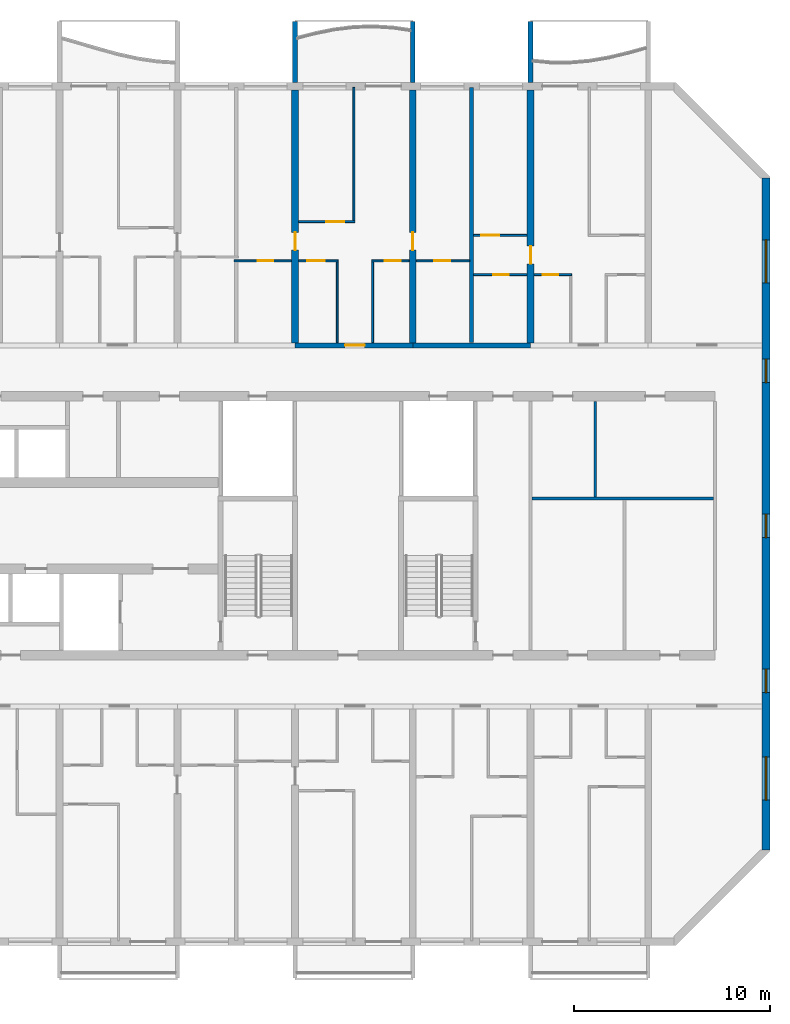
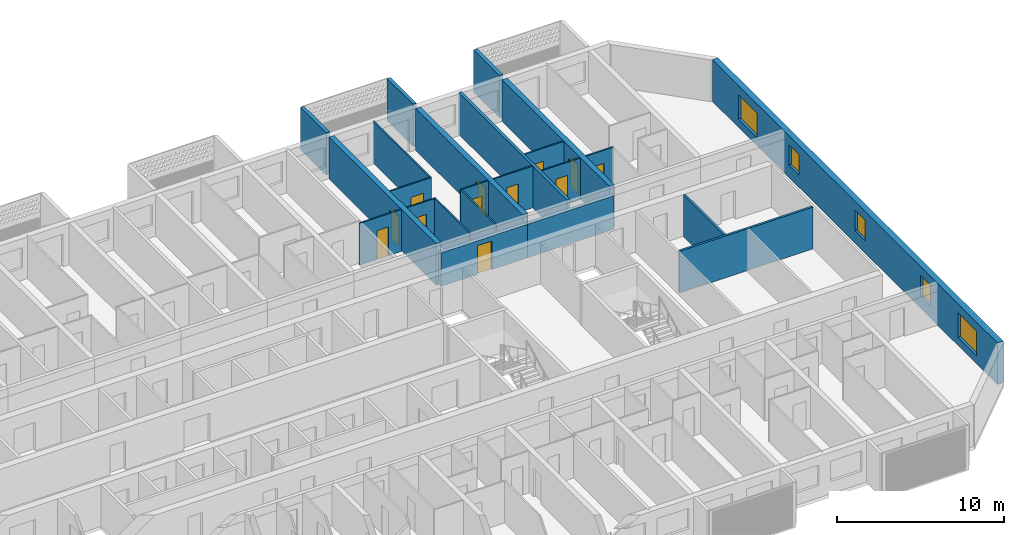
# One storey, part 15 of 25: 23 walls, 12 doors, 5 windows, 17 openings.
"""IFC4 building model written with IfcOpenShell, lengths in metres."""

from ifc_helpers import new_model, si_unit, direction, frame, frame_2d, origin, place, context, subcontext, project, spatial, polyline, rectangle, outline, extrude, source, transform, mapped, material, layer, layer_set, type_object, element, fill, save


model = new_model("IFC4")

# Units and contexts
model_context = context("Model", 3, precision=1e-05, world=origin(), true_north=direction((0.0, 1.0)))
body_context = subcontext(model_context, "Body", "Model", "MODEL_VIEW")
ifc_project = project(units=[si_unit("LENGTHUNIT", "METRE"), si_unit("AREAUNIT", "SQUARE_METRE"), si_unit("VOLUMEUNIT", "CUBIC_METRE"), si_unit("PLANEANGLEUNIT", "RADIAN"), si_unit("MASSUNIT", "GRAM", prefix="KILO")], contexts=[model_context])

# Site, building, storey
site_placement = place(None, origin())
site = spatial("IfcSite", under=ifc_project, at=site_placement, CompositionType="ELEMENT")
building_placement = place(site_placement, origin())
building = spatial("IfcBuilding", under=site, at=building_placement, Name="Poui Terraces", CompositionType="ELEMENT")
storey_placement = place(building_placement, frame((0.0, 0.0, 89.39990234375)))
storey = spatial("IfcBuildingStorey", under=building, at=storey_placement, Name="L24", CompositionType="ELEMENT", Elevation=89.39990234375)

# Wall, opening, door
ifc_material_1 = material(Name="Concrete 65 MPa", Category="concrete")
ifc_layer_1 = layer(ifc_material_1, 0.25)
ifc_layer_set_1 = layer_set([ifc_layer_1], Name="Concrete 65 MPa")
wall_type_1 = type_object("IfcWallType", Name="CORRIDOR WALL 250 65MPa", PredefinedType="SHEAR", material=ifc_layer_set_1)
wall_1_placement = place(storey_placement, frame((72.0, 30.39990234375, 0.0), z_axis=(0.0, 0.0, 1.0), x_axis=(1.0, 0.0, 0.0)))
wall_1 = element("IfcWall", 1, at=wall_1_placement, inside=storey, type_object=wall_type_1, Name="CORRIDOR WALL LINE E BAY 12", PredefinedType="SHEAR", context=body_context, shape_type="SweptSolid", body=[
    extrude(rectangle(XDim=6.0, YDim=0.25, at=frame_2d((3.0, 0.0))), origin(), (0.0, 0.0, 1.0), 2.460205078125),
])
opening_1_placement = place(wall_1_placement, frame((2.550048828125, 0.0, 0.0)))
opening_1 = element("IfcOpeningElement", 2, at=opening_1_placement, cuts=wall_1, Name="Opening FD30S", PredefinedType="OPENING", context=body_context, shape_type="SweptSolid", body=[
    extrude(rectangle(XDim=1.0, YDim=2.10009765625, at=frame_2d((0.5, 1.050048828125))), frame((0.0, 0.135009765625, 0.0), z_axis=(0.0, -1.0, 0.0), x_axis=(1.0, 0.0, 0.0)), (0.0, 0.0, 1.0), 0.27001953125),
])
ifc_material_2 = material(Name="Steel fire door", Category="steel")
door_type_1 = type_object("IfcDoorType", Name="FLAT ENTRANCE DOOR 1000 X 2100", OperationType="NOTDEFINED", PredefinedType="DOOR", material=ifc_material_2)
door_1_placement = place(opening_1_placement, origin())
door_1 = element("IfcDoor", 3, at=door_1_placement, inside=storey, type_object=door_type_1, Name="FLAT ENTRANCE DOOR 074", OperationType="SINGLE_SWING_RIGHT", OverallHeight=2.10009765625, OverallWidth=1.0, PredefinedType="DOOR", context=body_context, shape_type="SweptSolid", body=[
    extrude(rectangle(XDim=1.0, YDim=2.10009765625, at=frame_2d((0.5, 1.050048828125))), frame((0.0, 0.02490234375, 0.0), z_axis=(0.0, -1.0, 0.0), x_axis=(1.0, 0.0, 0.0)), (0.0, 0.0, 1.0), 0.050048828125),
])
fill(opening_1, door_1)

# Wall
wall_2_placement = place(storey_placement, frame((78.0, 30.39990234375, 0.0), z_axis=(0.0, 0.0, 1.0), x_axis=(1.0, 0.0, 0.0)))
element("IfcWall", 4, at=wall_2_placement, inside=storey, type_object=wall_type_1, Name="CORRIDOR WALL LINE E BAY 13", PredefinedType="SHEAR", context=body_context, shape_type="SweptSolid", body=[
    extrude(rectangle(XDim=6.0, YDim=0.25, at=frame_2d((3.0, 0.0))), origin(), (0.0, 0.0, 1.0), 2.460205078125),
])

# Wall, opening, door
ifc_layer_2 = layer(ifc_material_1, 0.35009765625)
ifc_layer_set_2 = layer_set([ifc_layer_2], Name="Concrete 65 MPa")
wall_type_2 = type_object("IfcWallType", Name="CROSS WALL 350 65MPa", PredefinedType="SHEAR", material=ifc_layer_set_2)
wall_3_placement = place(storey_placement, frame((72.0, 30.52490234375, 0.0), z_axis=(0.0, 0.0, 1.0), x_axis=(0.0, 1.0, 0.0)))
wall_3 = element("IfcWall", 5, at=wall_3_placement, inside=storey, type_object=wall_type_2, Name="CROSS WALL LINE 13 NORTH", PredefinedType="SHEAR", context=body_context, shape_type="SweptSolid", body=[
    extrude(rectangle(XDim=12.875, YDim=0.35009765625, at=frame_2d((6.4375, 0.0))), origin(), (0.0, 0.0, 1.0), 3.06005859375),
])
opening_2_placement = place(wall_3_placement, frame((4.72509765625, 0.0, 0.0)))
opening_2 = element("IfcOpeningElement", 6, at=opening_2_placement, cuts=wall_3, Name="Opening D90", PredefinedType="OPENING", context=body_context, shape_type="SweptSolid", body=[
    extrude(rectangle(XDim=0.89990234375, YDim=2.10009765625, at=frame_2d((0.449951171875, 1.050048828125))), frame((0.0, 0.18505859375, 0.0), z_axis=(0.0, -1.0, 0.0), x_axis=(1.0, 0.0, 0.0)), (0.0, 0.0, 1.0), 0.3701171875),
])
ifc_material_3 = material(Name="Solid core timber door", Category="wood")
door_type_2 = type_object("IfcDoorType", Name="INTERNAL DOOR 900 X 2100", OperationType="NOTDEFINED", PredefinedType="DOOR", material=ifc_material_3)
door_2_placement = place(opening_2_placement, origin())
door_2 = element("IfcDoor", 7, at=door_2_placement, inside=storey, type_object=door_type_2, Name="INTERNAL DOOR 071", OperationType="SINGLE_SWING_LEFT", OverallHeight=2.10009765625, OverallWidth=0.89990234375, PredefinedType="DOOR", context=body_context, shape_type="SweptSolid", body=[
    extrude(rectangle(XDim=0.89990234375, YDim=2.10009765625, at=frame_2d((0.449951171875, 1.050048828125))), frame((0.0, 0.02490234375, 0.0), z_axis=(0.0, -1.0, 0.0), x_axis=(1.0, 0.0, 0.0)), (0.0, 0.0, 1.0), 0.050048828125),
])
fill(opening_2, door_2)

wall_4_placement = place(storey_placement, frame((78.0, 30.52490234375, 0.0), z_axis=(0.0, 0.0, 1.0), x_axis=(0.0, 1.0, 0.0)))
wall_4 = element("IfcWall", 8, at=wall_4_placement, inside=storey, type_object=wall_type_2, Name="CROSS WALL LINE 14 NORTH", PredefinedType="SHEAR", context=body_context, shape_type="SweptSolid", body=[
    extrude(rectangle(XDim=12.875, YDim=0.35009765625, at=frame_2d((6.4375, 0.0))), origin(), (0.0, 0.0, 1.0), 3.06005859375),
])
opening_3_placement = place(wall_4_placement, frame((4.72509765625, 0.0, 0.0)))
opening_3 = element("IfcOpeningElement", 9, at=opening_3_placement, cuts=wall_4, Name="Opening D90", PredefinedType="OPENING", context=body_context, shape_type="SweptSolid", body=[
    extrude(rectangle(XDim=0.89990234375, YDim=2.10009765625, at=frame_2d((0.449951171875, 1.050048828125))), frame((0.0, 0.18505859375, 0.0), z_axis=(0.0, -1.0, 0.0), x_axis=(1.0, 0.0, 0.0)), (0.0, 0.0, 1.0), 0.3701171875),
])
door_3_placement = place(opening_3_placement, frame((0.89990234375, 0.0, 0.0), z_axis=(0.0, 0.0, 1.0), x_axis=(-1.0, 0.0, 0.0)))
door_3 = element("IfcDoor", 10, at=door_3_placement, inside=storey, type_object=door_type_2, Name="INTERNAL DOOR 076", OperationType="SINGLE_SWING_RIGHT", OverallHeight=2.10009765625, OverallWidth=0.89990234375, PredefinedType="DOOR", context=body_context, shape_type="SweptSolid", body=[
    extrude(rectangle(XDim=0.89990234375, YDim=2.10009765625, at=frame_2d((0.449951171875, 1.050048828125))), frame((0.0, 0.02490234375, 0.0), z_axis=(0.0, -1.0, 0.0), x_axis=(1.0, 0.0, 0.0)), (0.0, 0.0, 1.0), 0.050048828125),
])
fill(opening_3, door_3)

wall_5_placement = place(storey_placement, frame((84.0, 30.52490234375, 0.0), z_axis=(0.0, 0.0, 1.0), x_axis=(0.0, 1.0, 0.0)))
wall_5 = element("IfcWall", 11, at=wall_5_placement, inside=storey, type_object=wall_type_2, Name="CROSS WALL LINE 15 NORTH", PredefinedType="SHEAR", context=body_context, shape_type="SweptSolid", body=[
    extrude(rectangle(XDim=12.875, YDim=0.35009765625, at=frame_2d((6.4375, 0.0))), origin(), (0.0, 0.0, 1.0), 3.06005859375),
])
opening_4_placement = place(wall_5_placement, frame((4.02490234375, 0.0, 0.0)))
opening_4 = element("IfcOpeningElement", 12, at=opening_4_placement, cuts=wall_5, Name="Opening D90", PredefinedType="OPENING", context=body_context, shape_type="SweptSolid", body=[
    extrude(rectangle(XDim=0.89990234375, YDim=2.10009765625, at=frame_2d((0.449951171875, 1.050048828125))), frame((0.0, 0.18505859375, 0.0), z_axis=(0.0, -1.0, 0.0), x_axis=(1.0, 0.0, 0.0)), (0.0, 0.0, 1.0), 0.3701171875),
])
door_4_placement = place(opening_4_placement, frame((0.89990234375, 0.0, 0.0), z_axis=(0.0, 0.0, 1.0), x_axis=(-1.0, 0.0, 0.0)))
door_4 = element("IfcDoor", 13, at=door_4_placement, inside=storey, type_object=door_type_2, Name="INTERNAL DOOR 079", OperationType="SINGLE_SWING_RIGHT", OverallHeight=2.10009765625, OverallWidth=0.89990234375, PredefinedType="DOOR", context=body_context, shape_type="SweptSolid", body=[
    extrude(rectangle(XDim=0.89990234375, YDim=2.10009765625, at=frame_2d((0.449951171875, 1.050048828125))), frame((0.0, 0.02490234375, 0.0), z_axis=(0.0, -1.0, 0.0), x_axis=(1.0, 0.0, 0.0)), (0.0, 0.0, 1.0), 0.050048828125),
])
fill(opening_4, door_4)

# Wall, openings, windows
ifc_layer_3 = layer(ifc_material_1, 0.39990234375)
ifc_layer_set_3 = layer_set([ifc_layer_3], Name="Concrete 65 MPa")
wall_type_3 = type_object("IfcWallType", Name="END WALL 400 65MPa", PredefinedType="SHEAR", material=ifc_layer_set_3)
wall_6_placement = place(storey_placement, frame((96.0, 4.682861328125, 0.0), z_axis=(0.0, 0.0, 1.0), x_axis=(0.0, 1.0, 0.0)))
wall_6 = element("IfcWall", 14, at=wall_6_placement, inside=storey, type_object=wall_type_3, Name="END WALL EAST", PredefinedType="SHEAR", context=body_context, shape_type="SweptSolid", body=[
    extrude(rectangle(XDim=34.234375, YDim=0.39990234375, at=frame_2d((17.1171875, 0.0))), origin(), (0.0, 0.0, 1.0), 3.06005859375),
])
opening_5_placement = place(wall_6_placement, frame((15.917236328125, 0.0, 0.89990234375)))
opening_5 = element("IfcOpeningElement", 15, at=opening_5_placement, cuts=wall_6, Name="Opening W2", PredefinedType="OPENING", context=body_context, shape_type="SweptSolid", body=[
    extrude(rectangle(XDim=1.199951171875, YDim=1.5, at=frame_2d((0.60009765625, 0.75))), frame((0.0, 0.2099609375, 0.0), z_axis=(0.0, -1.0, 0.0), x_axis=(1.0, 0.0, 0.0)), (0.0, 0.0, 1.0), 0.419921875),
])
opening_6_placement = place(wall_6_placement, frame((23.817138671875, 0.0, 0.89990234375)))
opening_6 = element("IfcOpeningElement", 16, at=opening_6_placement, cuts=wall_6, Name="Opening W2", PredefinedType="OPENING", context=body_context, shape_type="SweptSolid", body=[
    extrude(rectangle(XDim=1.199951171875, YDim=1.5, at=frame_2d((0.60009765625, 0.75))), frame((0.0, 0.2099609375, 0.0), z_axis=(0.0, -1.0, 0.0), x_axis=(1.0, 0.0, 0.0)), (0.0, 0.0, 1.0), 0.419921875),
])
opening_7_placement = place(wall_6_placement, frame((8.01708984375, 0.0, 0.89990234375)))
opening_7 = element("IfcOpeningElement", 17, at=opening_7_placement, cuts=wall_6, Name="Opening W2", PredefinedType="OPENING", context=body_context, shape_type="SweptSolid", body=[
    extrude(rectangle(XDim=1.199951171875, YDim=1.5, at=frame_2d((0.60009765625, 0.75))), frame((0.0, 0.2099609375, 0.0), z_axis=(0.0, -1.0, 0.0), x_axis=(1.0, 0.0, 0.0)), (0.0, 0.0, 1.0), 0.419921875),
])
opening_8_placement = place(wall_6_placement, frame((28.8935546875, 0.0, 0.60009765625)))
opening_8 = element("IfcOpeningElement", 18, at=opening_8_placement, cuts=wall_6, Name="Opening W3", PredefinedType="OPENING", context=body_context, shape_type="SweptSolid", body=[
    extrude(rectangle(XDim=2.199951171875, YDim=1.800048828125, at=frame_2d((1.10009765625, 0.89990234375))), frame((0.0, 0.2099609375, 0.0), z_axis=(0.0, -1.0, 0.0), x_axis=(1.0, 0.0, 0.0)), (0.0, 0.0, 1.0), 0.419921875),
])
opening_9_placement = place(wall_6_placement, frame((2.541015625, 0.0, 0.60009765625)))
opening_9 = element("IfcOpeningElement", 19, at=opening_9_placement, cuts=wall_6, Name="Opening W3", PredefinedType="OPENING", context=body_context, shape_type="SweptSolid", body=[
    extrude(rectangle(XDim=2.199951171875, YDim=1.800048828125, at=frame_2d((1.10009765625, 0.89990234375))), frame((0.0, 0.2099609375, 0.0), z_axis=(0.0, -1.0, 0.0), x_axis=(1.0, 0.0, 0.0)), (0.0, 0.0, 1.0), 0.419921875),
])
ifc_material_4 = material(Name="Clear glass in aluminium frame", Category="aluminium")
window_type_1 = type_object("IfcWindowType", Name="WINDOW 1200X1500", PartitioningType="SINGLE_PANEL", PredefinedType="WINDOW", material=ifc_material_4)
window_1_placement = place(opening_5_placement, origin())
window_1 = element("IfcWindow", 20, at=window_1_placement, inside=storey, type_object=window_type_1, Name="W2 WINDOW", OverallHeight=1.5, OverallWidth=1.199951171875, PartitioningType="SINGLE_PANEL", PredefinedType="WINDOW", context=body_context, shape_type="SweptSolid", body=[
    extrude(rectangle(XDim=1.199951171875, YDim=1.5, at=frame_2d((0.60009765625, 0.75))), frame((0.0, 0.030029296875, 0.0), z_axis=(0.0, -1.0, 0.0), x_axis=(1.0, 0.0, 0.0)), (0.0, 0.0, 1.0), 0.06005859375),
])
fill(opening_5, window_1)
window_2_placement = place(opening_6_placement, origin())
window_2 = element("IfcWindow", 21, at=window_2_placement, inside=storey, type_object=window_type_1, Name="W2 WINDOW", OverallHeight=1.5, OverallWidth=1.199951171875, PartitioningType="SINGLE_PANEL", PredefinedType="WINDOW", context=body_context, shape_type="SweptSolid", body=[
    extrude(rectangle(XDim=1.199951171875, YDim=1.5, at=frame_2d((0.60009765625, 0.75))), frame((0.0, 0.030029296875, 0.0), z_axis=(0.0, -1.0, 0.0), x_axis=(1.0, 0.0, 0.0)), (0.0, 0.0, 1.0), 0.06005859375),
])
fill(opening_6, window_2)
window_3_placement = place(opening_7_placement, origin())
window_3 = element("IfcWindow", 22, at=window_3_placement, inside=storey, type_object=window_type_1, Name="W2 WINDOW", OverallHeight=1.5, OverallWidth=1.199951171875, PartitioningType="SINGLE_PANEL", PredefinedType="WINDOW", context=body_context, shape_type="SweptSolid", body=[
    extrude(rectangle(XDim=1.199951171875, YDim=1.5, at=frame_2d((0.60009765625, 0.75))), frame((0.0, 0.030029296875, 0.0), z_axis=(0.0, -1.0, 0.0), x_axis=(1.0, 0.0, 0.0)), (0.0, 0.0, 1.0), 0.06005859375),
])
fill(opening_7, window_3)
window_type_2 = type_object("IfcWindowType", Name="WINDOW 2200X1800", PartitioningType="DOUBLE_PANEL_HORIZONTAL", PredefinedType="WINDOW", material=ifc_material_4)
window_4_placement = place(opening_8_placement, origin())
window_4 = element("IfcWindow", 23, at=window_4_placement, inside=storey, type_object=window_type_2, Name="W3 WINDOW", OverallHeight=1.800048828125, OverallWidth=2.199951171875, PartitioningType="DOUBLE_PANEL_HORIZONTAL", PredefinedType="WINDOW", context=body_context, shape_type="SweptSolid", body=[
    extrude(rectangle(XDim=2.199951171875, YDim=1.800048828125, at=frame_2d((1.10009765625, 0.89990234375))), frame((0.0, 0.030029296875, 0.0), z_axis=(0.0, -1.0, 0.0), x_axis=(1.0, 0.0, 0.0)), (0.0, 0.0, 1.0), 0.06005859375),
])
fill(opening_8, window_4)
window_5_placement = place(opening_9_placement, origin())
window_5 = element("IfcWindow", 24, at=window_5_placement, inside=storey, type_object=window_type_2, Name="W3 WINDOW", OverallHeight=1.800048828125, OverallWidth=2.199951171875, PartitioningType="DOUBLE_PANEL_HORIZONTAL", PredefinedType="WINDOW", context=body_context, shape_type="SweptSolid", body=[
    extrude(rectangle(XDim=2.199951171875, YDim=1.800048828125, at=frame_2d((1.10009765625, 0.89990234375))), frame((0.0, 0.030029296875, 0.0), z_axis=(0.0, -1.0, 0.0), x_axis=(1.0, 0.0, 0.0)), (0.0, 0.0, 1.0), 0.06005859375),
])
fill(opening_9, window_5)

# Wall, opening, door
ifc_material_5 = material(Name="Plasterboard partition")
ifc_layer_4 = layer(ifc_material_5, 0.10009765625)
ifc_layer_set_4 = layer_set([ifc_layer_4], Name="Plasterboard partition")
wall_type_4 = type_object("IfcWallType", Name="FLAT PARTITION 100", PredefinedType="PARTITIONING", material=ifc_layer_set_4)
wall_7_placement = place(storey_placement, frame((81.10009765625, 34.0, 0.0), z_axis=(0.0, 0.0, 1.0), x_axis=(1.0, 0.0, 0.0)))
wall_7 = element("IfcWall", 25, at=wall_7_placement, inside=storey, type_object=wall_type_4, Name="FLAT PARTITION 100", PredefinedType="PARTITIONING", context=body_context, shape_type="SweptSolid", body=[
    extrude(rectangle(XDim=2.71484375, YDim=0.10009765625, at=frame_2d((1.357421875, 0.0))), origin(), (0.0, 0.0, 1.0), 3.06005859375),
])
opening_10_placement = place(wall_7_placement, frame((1.0, 0.0, 0.0)))
opening_10 = element("IfcOpeningElement", 26, at=opening_10_placement, cuts=wall_7, Name="Opening D80", PredefinedType="OPENING", context=body_context, shape_type="SweptSolid", body=[
    extrude(rectangle(XDim=0.800048828125, YDim=2.10009765625, at=frame_2d((0.39990234375, 1.050048828125))), frame((0.0, 0.06005859375, 0.0), z_axis=(0.0, -1.0, 0.0), x_axis=(1.0, 0.0, 0.0)), (0.0, 0.0, 1.0), 0.1201171875),
])
door_type_3 = type_object("IfcDoorType", Name="BATHROOM, LAUNDRY AND STORE DOOR 800 X 2100", OperationType="NOTDEFINED", PredefinedType="DOOR", material=ifc_material_3)
door_5_placement = place(opening_10_placement, frame((0.800048828125, 0.0, 0.0), z_axis=(0.0, 0.0, 1.0), x_axis=(-1.0, 0.0, 0.0)))
door_5 = element("IfcDoor", 27, at=door_5_placement, inside=storey, type_object=door_type_3, Name="BATHROOM, LAUNDRY AND STORE DOOR 078", OperationType="SINGLE_SWING_LEFT", OverallHeight=2.10009765625, OverallWidth=0.800048828125, PredefinedType="DOOR", context=body_context, shape_type="SweptSolid", body=[
    extrude(rectangle(XDim=0.800048828125, YDim=2.10009765625, at=frame_2d((0.39990234375, 1.050048828125))), frame((0.0, 0.02490234375, 0.0), z_axis=(0.0, -1.0, 0.0), x_axis=(1.0, 0.0, 0.0)), (0.0, 0.0, 1.0), 0.050048828125),
])
fill(opening_10, door_5)

wall_8_placement = place(storey_placement, frame((84.18505859375, 34.0, 0.0), z_axis=(0.0, 0.0, 1.0), x_axis=(1.0, 0.0, 0.0)))
wall_8 = element("IfcWall", 28, at=wall_8_placement, inside=storey, type_object=wall_type_4, Name="FLAT PARTITION 100", PredefinedType="PARTITIONING", context=body_context, shape_type="SweptSolid", body=[
    extrude(rectangle(XDim=1.9150390625, YDim=0.10009765625, at=frame_2d((0.95751953125, 0.0))), origin(), (0.0, 0.0, 1.0), 3.06005859375),
])
opening_11_placement = place(wall_8_placement, frame((0.43994140625, 0.0, 0.0)))
opening_11 = element("IfcOpeningElement", 29, at=opening_11_placement, cuts=wall_8, Name="Opening D80", PredefinedType="OPENING", context=body_context, shape_type="SweptSolid", body=[
    extrude(rectangle(XDim=0.800048828125, YDim=2.10009765625, at=frame_2d((0.39990234375, 1.050048828125))), frame((0.0, 0.06005859375, 0.0), z_axis=(0.0, -1.0, 0.0), x_axis=(1.0, 0.0, 0.0)), (0.0, 0.0, 1.0), 0.1201171875),
])
door_6_placement = place(opening_11_placement, frame((0.800048828125, 0.0, 0.0), z_axis=(0.0, 0.0, 1.0), x_axis=(-1.0, 0.0, 0.0)))
door_6 = element("IfcDoor", 30, at=door_6_placement, inside=storey, type_object=door_type_3, Name="BATHROOM, LAUNDRY AND STORE DOOR 080", OperationType="SINGLE_SWING_RIGHT", OverallHeight=2.10009765625, OverallWidth=0.800048828125, PredefinedType="DOOR", context=body_context, shape_type="SweptSolid", body=[
    extrude(rectangle(XDim=0.800048828125, YDim=2.10009765625, at=frame_2d((0.39990234375, 1.050048828125))), frame((0.0, 0.02490234375, 0.0), z_axis=(0.0, -1.0, 0.0), x_axis=(1.0, 0.0, 0.0)), (0.0, 0.0, 1.0), 0.050048828125),
])
fill(opening_11, door_6)

wall_9_placement = place(storey_placement, frame((68.89990234375, 34.699951171875, 0.0), z_axis=(0.0, 0.0, 1.0), x_axis=(1.0, 0.0, 0.0)))
wall_9 = element("IfcWall", 31, at=wall_9_placement, inside=storey, type_object=wall_type_4, Name="FLAT PARTITION 100", PredefinedType="PARTITIONING", context=body_context, shape_type="SweptSolid", body=[
    extrude(rectangle(XDim=2.9150390625, YDim=0.10009765625, at=frame_2d((1.45751953125, 0.0))), origin(), (0.0, 0.0, 1.0), 3.06005859375),
])
opening_12_placement = place(wall_9_placement, frame((1.199951171875, 0.0, 0.0)))
opening_12 = element("IfcOpeningElement", 32, at=opening_12_placement, cuts=wall_9, Name="Opening D80", PredefinedType="OPENING", context=body_context, shape_type="SweptSolid", body=[
    extrude(rectangle(XDim=0.800048828125, YDim=2.10009765625, at=frame_2d((0.39990234375, 1.050048828125))), frame((0.0, 0.06005859375, 0.0), z_axis=(0.0, -1.0, 0.0), x_axis=(1.0, 0.0, 0.0)), (0.0, 0.0, 1.0), 0.1201171875),
])
door_7_placement = place(opening_12_placement, frame((0.800048828125, 0.0, 0.0), z_axis=(0.0, 0.0, 1.0), x_axis=(-1.0, 0.0, 0.0)))
door_7 = element("IfcDoor", 33, at=door_7_placement, inside=storey, type_object=door_type_3, Name="BATHROOM, LAUNDRY AND STORE DOOR 069", OperationType="SINGLE_SWING_LEFT", OverallHeight=2.10009765625, OverallWidth=0.800048828125, PredefinedType="DOOR", context=body_context, shape_type="SweptSolid", body=[
    extrude(rectangle(XDim=0.800048828125, YDim=2.10009765625, at=frame_2d((0.39990234375, 1.050048828125))), frame((0.0, 0.02490234375, 0.0), z_axis=(0.0, -1.0, 0.0), x_axis=(1.0, 0.0, 0.0)), (0.0, 0.0, 1.0), 0.050048828125),
])
fill(opening_12, door_7)

wall_10_placement = place(storey_placement, frame((72.18505859375, 34.699951171875, 0.0), z_axis=(0.0, 0.0, 1.0), x_axis=(1.0, 0.0, 0.0)))
wall_10 = element("IfcWall", 34, at=wall_10_placement, inside=storey, type_object=wall_type_4, Name="FLAT PARTITION 100", PredefinedType="PARTITIONING", context=body_context, shape_type="SweptSolid", body=[
    extrude(rectangle(XDim=2.014892578125, YDim=0.10009765625, at=frame_2d((1.00732421875, 0.0))), origin(), (0.0, 0.0, 1.0), 3.06005859375),
])
opening_13_placement = place(wall_10_placement, frame((0.43994140625, 0.0, 0.0)))
opening_13 = element("IfcOpeningElement", 35, at=opening_13_placement, cuts=wall_10, Name="Opening D90", PredefinedType="OPENING", context=body_context, shape_type="SweptSolid", body=[
    extrude(rectangle(XDim=0.89990234375, YDim=2.10009765625, at=frame_2d((0.449951171875, 1.050048828125))), frame((0.0, 0.06005859375, 0.0), z_axis=(0.0, -1.0, 0.0), x_axis=(1.0, 0.0, 0.0)), (0.0, 0.0, 1.0), 0.1201171875),
])
door_8_placement = place(opening_13_placement, frame((0.89990234375, 0.0, 0.0), z_axis=(0.0, 0.0, 1.0), x_axis=(-1.0, 0.0, 0.0)))
door_8 = element("IfcDoor", 36, at=door_8_placement, inside=storey, type_object=door_type_2, Name="INTERNAL DOOR 072", OperationType="SINGLE_SWING_LEFT", OverallHeight=2.10009765625, OverallWidth=0.89990234375, PredefinedType="DOOR", context=body_context, shape_type="SweptSolid", body=[
    extrude(rectangle(XDim=0.89990234375, YDim=2.10009765625, at=frame_2d((0.449951171875, 1.050048828125))), frame((0.0, 0.02490234375, 0.0), z_axis=(0.0, -1.0, 0.0), x_axis=(1.0, 0.0, 0.0)), (0.0, 0.0, 1.0), 0.050048828125),
])
fill(opening_13, door_8)

wall_11_placement = place(storey_placement, frame((75.89990234375, 34.699951171875, 0.0), z_axis=(0.0, 0.0, 1.0), x_axis=(1.0, 0.0, 0.0)))
wall_11 = element("IfcWall", 37, at=wall_11_placement, inside=storey, type_object=wall_type_4, Name="FLAT PARTITION 100", PredefinedType="PARTITIONING", context=body_context, shape_type="SweptSolid", body=[
    extrude(rectangle(XDim=1.9150390625, YDim=0.10009765625, at=frame_2d((0.95751953125, 0.0))), origin(), (0.0, 0.0, 1.0), 3.06005859375),
])
opening_14_placement = place(wall_11_placement, frame((0.675048828125, 0.0, 0.0)))
opening_14 = element("IfcOpeningElement", 38, at=opening_14_placement, cuts=wall_11, Name="Opening D80", PredefinedType="OPENING", context=body_context, shape_type="SweptSolid", body=[
    extrude(rectangle(XDim=0.800048828125, YDim=2.10009765625, at=frame_2d((0.39990234375, 1.050048828125))), frame((0.0, 0.06005859375, 0.0), z_axis=(0.0, -1.0, 0.0), x_axis=(1.0, 0.0, 0.0)), (0.0, 0.0, 1.0), 0.1201171875),
])
door_9_placement = place(opening_14_placement, frame((0.800048828125, 0.0, 0.0), z_axis=(0.0, 0.0, 1.0), x_axis=(-1.0, 0.0, 0.0)))
door_9 = element("IfcDoor", 39, at=door_9_placement, inside=storey, type_object=door_type_3, Name="BATHROOM, LAUNDRY AND STORE DOOR 075", OperationType="SINGLE_SWING_RIGHT", OverallHeight=2.10009765625, OverallWidth=0.800048828125, PredefinedType="DOOR", context=body_context, shape_type="SweptSolid", body=[
    extrude(rectangle(XDim=0.800048828125, YDim=2.10009765625, at=frame_2d((0.39990234375, 1.050048828125))), frame((0.0, 0.02490234375, 0.0), z_axis=(0.0, -1.0, 0.0), x_axis=(1.0, 0.0, 0.0)), (0.0, 0.0, 1.0), 0.050048828125),
])
fill(opening_14, door_9)

wall_12_placement = place(storey_placement, frame((78.18505859375, 34.699951171875, 0.0), z_axis=(0.0, 0.0, 1.0), x_axis=(1.0, 0.0, 0.0)))
wall_12 = element("IfcWall", 40, at=wall_12_placement, inside=storey, type_object=wall_type_4, Name="FLAT PARTITION 100", PredefinedType="PARTITIONING", context=body_context, shape_type="SweptSolid", body=[
    extrude(rectangle(XDim=2.71484375, YDim=0.10009765625, at=frame_2d((1.357421875, 0.0))), origin(), (0.0, 0.0, 1.0), 3.06005859375),
])
opening_15_placement = place(wall_12_placement, frame((0.9150390625, 0.0, 0.0)))
opening_15 = element("IfcOpeningElement", 41, at=opening_15_placement, cuts=wall_12, Name="Opening D80", PredefinedType="OPENING", context=body_context, shape_type="SweptSolid", body=[
    extrude(rectangle(XDim=0.800048828125, YDim=2.10009765625, at=frame_2d((0.39990234375, 1.050048828125))), frame((0.0, 0.06005859375, 0.0), z_axis=(0.0, -1.0, 0.0), x_axis=(1.0, 0.0, 0.0)), (0.0, 0.0, 1.0), 0.1201171875),
])
door_10_placement = place(opening_15_placement, frame((0.800048828125, 0.0, 0.0), z_axis=(0.0, 0.0, 1.0), x_axis=(-1.0, 0.0, 0.0)))
door_10 = element("IfcDoor", 42, at=door_10_placement, inside=storey, type_object=door_type_3, Name="BATHROOM, LAUNDRY AND STORE DOOR 070", OperationType="SINGLE_SWING_LEFT", OverallHeight=2.10009765625, OverallWidth=0.800048828125, PredefinedType="DOOR", context=body_context, shape_type="SweptSolid", body=[
    extrude(rectangle(XDim=0.800048828125, YDim=2.10009765625, at=frame_2d((0.39990234375, 1.050048828125))), frame((0.0, 0.02490234375, 0.0), z_axis=(0.0, -1.0, 0.0), x_axis=(1.0, 0.0, 0.0)), (0.0, 0.0, 1.0), 0.050048828125),
])
fill(opening_15, door_10)

wall_13_placement = place(storey_placement, frame((81.10009765625, 36.0, 0.0), z_axis=(0.0, 0.0, 1.0), x_axis=(1.0, 0.0, 0.0)))
wall_13 = element("IfcWall", 43, at=wall_13_placement, inside=storey, type_object=wall_type_4, Name="FLAT PARTITION 100", PredefinedType="PARTITIONING", context=body_context, shape_type="SweptSolid", body=[
    extrude(rectangle(XDim=2.71484375, YDim=0.10009765625, at=frame_2d((1.357421875, 0.0))), origin(), (0.0, 0.0, 1.0), 3.06005859375),
])
opening_16_placement = place(wall_13_placement, frame((0.39990234375, 0.0, 0.0)))
opening_16 = element("IfcOpeningElement", 44, at=opening_16_placement, cuts=wall_13, Name="Opening D90", PredefinedType="OPENING", context=body_context, shape_type="SweptSolid", body=[
    extrude(rectangle(XDim=0.89990234375, YDim=2.10009765625, at=frame_2d((0.449951171875, 1.050048828125))), frame((0.0, 0.06005859375, 0.0), z_axis=(0.0, -1.0, 0.0), x_axis=(1.0, 0.0, 0.0)), (0.0, 0.0, 1.0), 0.1201171875),
])
door_11_placement = place(opening_16_placement, origin())
door_11 = element("IfcDoor", 45, at=door_11_placement, inside=storey, type_object=door_type_2, Name="INTERNAL DOOR 077", OperationType="SINGLE_SWING_LEFT", OverallHeight=2.10009765625, OverallWidth=0.89990234375, PredefinedType="DOOR", context=body_context, shape_type="SweptSolid", body=[
    extrude(rectangle(XDim=0.89990234375, YDim=2.10009765625, at=frame_2d((0.449951171875, 1.050048828125))), frame((0.0, 0.02490234375, 0.0), z_axis=(0.0, -1.0, 0.0), x_axis=(1.0, 0.0, 0.0)), (0.0, 0.0, 1.0), 0.050048828125),
])
fill(opening_16, door_11)

wall_14_placement = place(storey_placement, frame((72.18505859375, 36.699951171875, 0.0), z_axis=(0.0, 0.0, 1.0), x_axis=(1.0, 0.0, 0.0)))
wall_14 = element("IfcWall", 46, at=wall_14_placement, inside=storey, type_object=wall_type_4, Name="FLAT PARTITION 100", PredefinedType="PARTITIONING", context=body_context, shape_type="SweptSolid", body=[
    extrude(rectangle(XDim=2.864990234375, YDim=0.10009765625, at=frame_2d((1.4326171875, 0.0))), origin(), (0.0, 0.0, 1.0), 3.06005859375),
])
opening_17_placement = place(wall_14_placement, frame((1.4150390625, 0.0, 0.0)))
opening_17 = element("IfcOpeningElement", 47, at=opening_17_placement, cuts=wall_14, Name="Opening D90", PredefinedType="OPENING", context=body_context, shape_type="SweptSolid", body=[
    extrude(rectangle(XDim=0.89990234375, YDim=2.10009765625, at=frame_2d((0.449951171875, 1.050048828125))), frame((0.0, 0.06005859375, 0.0), z_axis=(0.0, -1.0, 0.0), x_axis=(1.0, 0.0, 0.0)), (0.0, 0.0, 1.0), 0.1201171875),
])
door_12_placement = place(opening_17_placement, frame((0.89990234375, 0.0, 0.0), z_axis=(0.0, 0.0, 1.0), x_axis=(-1.0, 0.0, 0.0)))
door_12 = element("IfcDoor", 48, at=door_12_placement, inside=storey, type_object=door_type_2, Name="INTERNAL DOOR 073", OperationType="SINGLE_SWING_RIGHT", OverallHeight=2.10009765625, OverallWidth=0.89990234375, PredefinedType="DOOR", context=body_context, shape_type="SweptSolid", body=[
    extrude(rectangle(XDim=0.89990234375, YDim=2.10009765625, at=frame_2d((0.449951171875, 1.050048828125))), frame((0.0, 0.02490234375, 0.0), z_axis=(0.0, -1.0, 0.0), x_axis=(1.0, 0.0, 0.0)), (0.0, 0.0, 1.0), 0.050048828125),
])
fill(opening_17, door_12)

# Walls
wall_15_placement = place(storey_placement, frame((74.14990234375, 30.534912109375, 0.0), z_axis=(0.0, 0.0, 1.0), x_axis=(0.0, 1.0, 0.0)))
element("IfcWall", 49, at=wall_15_placement, inside=storey, type_object=wall_type_4, Name="FLAT PARTITION 100", PredefinedType="PARTITIONING", context=body_context, shape_type="SweptSolid", body=[
    extrude(rectangle(XDim=4.114990234375, YDim=0.10009765625, at=frame_2d((2.0576171875, 0.0))), origin(), (0.0, 0.0, 1.0), 3.06005859375),
])
wall_16_placement = place(storey_placement, frame((75.0, 36.75, 0.0), z_axis=(0.0, 0.0, 1.0), x_axis=(0.0, 1.0, 0.0)))
element("IfcWall", 50, at=wall_16_placement, inside=storey, type_object=wall_type_4, Name="FLAT PARTITION 100", PredefinedType="PARTITIONING", context=body_context, shape_type="SweptSolid", body=[
    extrude(rectangle(XDim=6.7900390625, YDim=0.10009765625, at=frame_2d((3.39501953125, 0.0))), origin(), (0.0, 0.0, 1.0), 3.06005859375),
])
wall_17_placement = place(storey_placement, frame((75.949951171875, 30.534912109375, 0.0), z_axis=(0.0, 0.0, 1.0), x_axis=(0.0, 1.0, 0.0)))
element("IfcWall", 51, at=wall_17_placement, inside=storey, type_object=wall_type_4, Name="FLAT PARTITION 100", PredefinedType="PARTITIONING", context=body_context, shape_type="SweptSolid", body=[
    extrude(rectangle(XDim=4.114990234375, YDim=0.10009765625, at=frame_2d((2.0576171875, 0.0))), origin(), (0.0, 0.0, 1.0), 3.06005859375),
])
ifc_material_6 = material(Name="Fire-rated masonry wall", Category="masonry")
ifc_layer_5 = layer(ifc_material_6, 0.199951171875)
ifc_layer_set_5 = layer_set([ifc_layer_5], Name="Fire-rated masonry wall")
wall_type_5 = type_object("IfcWallType", Name="FLAT PARTY WALL 200", PredefinedType="PARTITIONING", material=ifc_layer_set_5)
wall_18_placement = place(storey_placement, frame((81.0, 30.534912109375, 0.0), z_axis=(0.0, 0.0, 1.0), x_axis=(0.0, 1.0, 0.0)))
element("IfcWall", 52, at=wall_18_placement, inside=storey, type_object=wall_type_5, Name="FLAT PARTY WALL 200", PredefinedType="PARTITIONING", context=body_context, shape_type="SweptSolid", body=[
    extrude(rectangle(XDim=13.005126953125, YDim=0.199951171875, at=frame_2d((6.50244140625, 0.0))), origin(), (0.0, 0.0, 1.0), 3.06005859375),
])
ifc_layer_6 = layer(ifc_material_5, 0.14990234375)
ifc_layer_set_6 = layer_set([ifc_layer_6], Name="Plasterboard partition")
wall_type_6 = type_object("IfcWallType", Name="PARTITION WALL 150", PredefinedType="PARTITIONING", material=ifc_layer_set_6)
wall_19_placement = place(storey_placement, frame((84.074951171875, 22.60009765625, 0.0), z_axis=(0.0, 0.0, 1.0), x_axis=(1.0, 0.0, 0.0)))
element("IfcWall", 53, at=wall_19_placement, inside=storey, type_object=wall_type_6, Name="PARTITION WALL 150", PredefinedType="PARTITIONING", context=body_context, shape_type="SweptSolid", body=[
    extrude(rectangle(XDim=9.25, YDim=0.14990234375, at=frame_2d((4.625, 0.0))), origin(), (0.0, 0.0, 1.0), 3.06005859375),
])
wall_20_placement = place(storey_placement, frame((87.300048828125, 22.675048828125, 0.0), z_axis=(0.0, 0.0, 1.0), x_axis=(0.0, 1.0, 0.0)))
element("IfcWall", 54, at=wall_20_placement, inside=storey, type_object=wall_type_6, Name="PARTITION WALL 150", PredefinedType="PARTITIONING", context=body_context, shape_type="SweptSolid", body=[
    extrude(rectangle(XDim=4.864990234375, YDim=0.14990234375, at=frame_2d((2.4326171875, 0.0))), origin(), (0.0, 0.0, 1.0), 3.06005859375),
])
ifc_material_7 = material(Name="Precast concrete 40 MPa", Category="concrete")
ifc_layer_7 = layer(ifc_material_7, 0.25)
ifc_layer_set_7 = layer_set([ifc_layer_7], Name="Precast concrete 40 MPa")
wall_type_7 = type_object("IfcWallType", Name="BALCONY FIN 250", PredefinedType="STANDARD", material=ifc_layer_set_7)
shared_shape = source(origin(), body_context, "Body", "SweptSolid", [
    extrude(outline(polyline([(0.0, 0.0), (0.25, 0.0), (0.25, 3.099853515625), (0.0, 3.099853515625), (0.0, 0.0)])), origin(), (0.0, 0.0, 1.0), 3.10009765625),
])
for number, where, name in (
    (55, (71.875, 43.800048828125, 0.0), "BALCONY FIN"),
    (56, (77.875, 43.800048828125, 0.0), "BALCONY FIN"),
    (57, (83.875, 43.800048828125, 0.0), "BALCONY FIN"),
):
    element("IfcWall", number, at=place(storey_placement, frame(where)), inside=storey, type_object=wall_type_7, Name=name, PredefinedType="STANDARD", context=body_context, shape_type="MappedRepresentation", body=[
        mapped(shared_shape, transform((0.0, 0.0, 0.0))),
    ])

save(model, "model.ifc")
